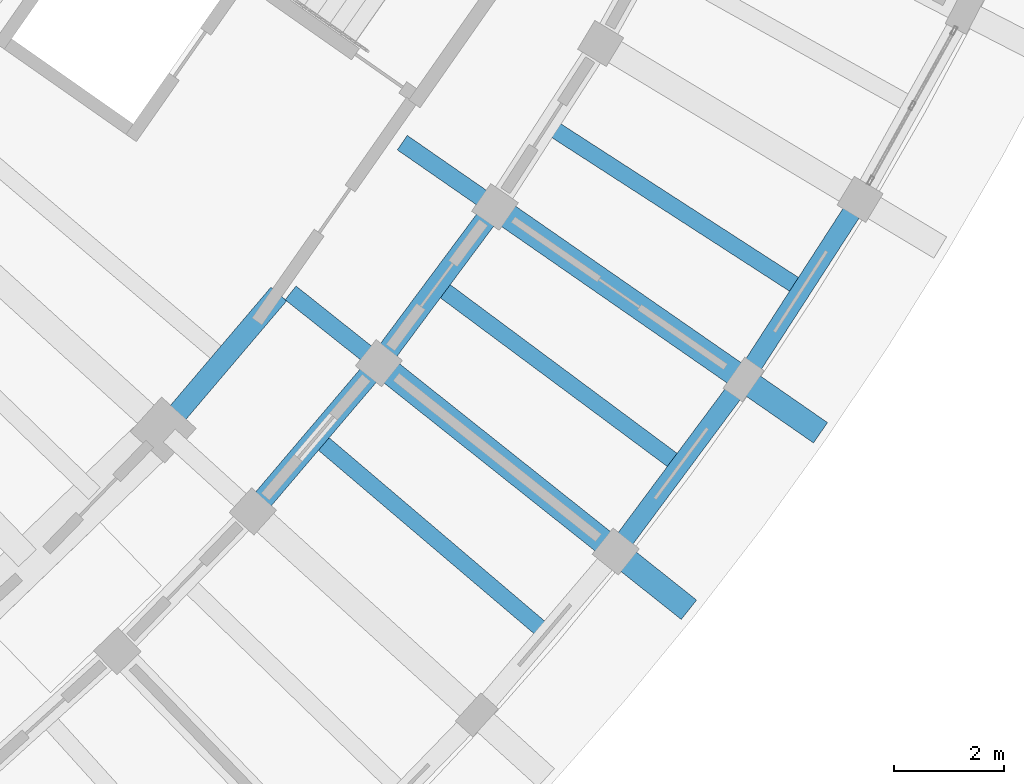
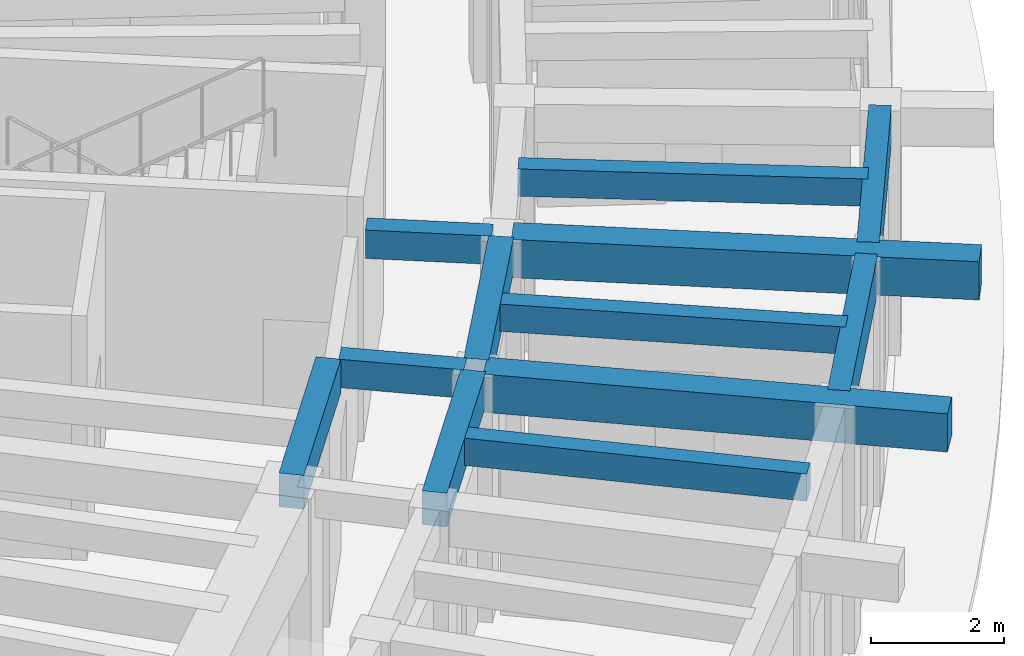
# One storey, part 58 of 132: 12 beams.
"""IFC4 building model written with IfcOpenShell, lengths in metres."""

from ifc_helpers import new_model, si_unit, direction, frame, origin, origin_2d, place, context, subcontext, project, spatial, rectangle, extrude, material, material_profile, profile_set, type_object, element, save


model = new_model("IFC4")

# Units and contexts
model_context = context("Model", 3, precision=1e-05, world=origin(), true_north=direction((0.0, 1.0)))
body_context = subcontext(model_context, "Body", "Model", "MODEL_VIEW")
ifc_project = project(units=[si_unit("LENGTHUNIT", "METRE"), si_unit("AREAUNIT", "SQUARE_METRE"), si_unit("VOLUMEUNIT", "CUBIC_METRE"), si_unit("PLANEANGLEUNIT", "RADIAN"), si_unit("MASSUNIT", "GRAM", prefix="KILO")], contexts=[model_context])

# Site, building, storey
site_placement = place(None, origin())
site = spatial("IfcSite", under=ifc_project, at=site_placement, CompositionType="ELEMENT")
building_placement = place(site_placement, origin())
building = spatial("IfcBuilding", under=site, at=building_placement, Name="Tanwirah Colonnade Gardens", CompositionType="ELEMENT")
storey_placement = place(building_placement, origin())
storey = spatial("IfcBuildingStorey", under=building, at=storey_placement, Name="L00", CompositionType="ELEMENT", Elevation=0.0)

# Beams
ifc_material_1 = material(Name="Precast concrete C40/50", Category="concrete")
ifc_material_profile_1 = material_profile(ifc_material_1, rectangle(XDim=0.320068359375, YDim=0.52001953125, at=origin_2d()), Name="PC-BM 320x520")
ifc_profile_set_1 = profile_set([ifc_material_profile_1], Name="Precast concrete C40/50")
beam_type_1 = type_object("IfcBeamType", Name="BM-PC320", PredefinedType="BEAM", material=ifc_profile_set_1)
beam_1_placement = place(storey_placement, frame((161.695556640625, 32.129150390625, 4.22509765625), z_axis=(0.782670764896, -0.622435919415, 0.0), x_axis=(0.622435919415, 0.782670764896, 0.0)))
element("IfcBeam", 1, at=beam_1_placement, inside=storey, type_object=beam_type_1, Name="Block D L00 Corridor Tie Beam 10", PredefinedType="BEAM", context=body_context, shape_type="SweptSolid", body=[
    extrude(rectangle(XDim=0.320068359375, YDim=0.52001953125, at=origin_2d()), origin(), (0.0, 0.0, 1.0), 1.89990234375),
])
beam_2_placement = place(storey_placement, frame((163.7255859375, 34.860107421875, 4.22509765625), z_axis=(0.821669163201, -0.569964723684, 0.0), x_axis=(0.569964723684, 0.821669163201, 0.0)))
element("IfcBeam", 2, at=beam_2_placement, inside=storey, type_object=beam_type_1, Name="Block D L00 Corridor Tie Beam 11", PredefinedType="BEAM", context=body_context, shape_type="SweptSolid", body=[
    extrude(rectangle(XDim=0.320068359375, YDim=0.52001953125, at=origin_2d()), origin(), (0.0, 0.0, 1.0), 1.900146484375),
])
ifc_material_profile_2 = material_profile(ifc_material_1, rectangle(XDim=0.3798828125, YDim=0.6201171875, at=origin_2d()), Name="PC-BM 380x620")
ifc_profile_set_2 = profile_set([ifc_material_profile_2], Name="Precast concrete C40/50")
beam_type_2 = type_object("IfcBeamType", Name="BM-PC380", PredefinedType="BEAM", material=ifc_profile_set_2)
beam_3_placement = place(storey_placement, frame((159.4775390625, 29.751953125, 4.175048828125), z_axis=(0.647730901566, 0.761869200819, 0.0), x_axis=(-0.761869200819, 0.647730901566, 0.0)))
element("IfcBeam", 3, at=beam_3_placement, inside=storey, type_object=beam_type_2, Name="Block D L00 Circumferential Beam 9-R1", PredefinedType="BEAM", context=body_context, shape_type="SweptSolid", body=[
    extrude(rectangle(XDim=0.3798828125, YDim=0.6201171875, at=origin_2d()), origin(), (0.0, 0.0, 1.0), 3.093017578125),
])
beam_4_placement = place(storey_placement, frame((161.10595703125, 28.27294921875, 4.175048828125), z_axis=(0.6478235549, 0.761790418499, 0.0), x_axis=(-0.761790418499, 0.6478235549, 0.0)))
element("IfcBeam", 4, at=beam_4_placement, inside=storey, type_object=beam_type_2, Name="Block D L00 Circumferential Beam 9-R2", PredefinedType="BEAM", context=body_context, shape_type="SweptSolid", body=[
    extrude(rectangle(XDim=0.3798828125, YDim=0.6201171875, at=origin_2d()), origin(), (0.0, 0.0, 1.0), 3.23681640625),
])
beam_5_placement = place(storey_placement, frame((163.389404296875, 30.973388671875, 4.175048828125), z_axis=(0.596579473879, 0.802554005252, 0.0), x_axis=(-0.802554005252, 0.596579473879, 0.0)))
element("IfcBeam", 5, at=beam_5_placement, inside=storey, type_object=beam_type_2, Name="Block D L00 Circumferential Beam 10-R2", PredefinedType="BEAM", context=body_context, shape_type="SweptSolid", body=[
    extrude(rectangle(XDim=0.3798828125, YDim=0.6201171875, at=origin_2d()), origin(), (0.0, 0.0, 1.0), 3.237060546875),
])
ifc_material_2 = material(Name="Precast concrete C45/55", Category="concrete")
ifc_material_profile_3 = material_profile(ifc_material_2, rectangle(XDim=0.449951171875, YDim=0.699951171875, at=origin_2d()), Name="PC-BM 450x700")
ifc_profile_set_3 = profile_set([ifc_material_profile_3], Name="Precast concrete C45/55")
beam_type_3 = type_object("IfcBeamType", Name="BM-PC450", PredefinedType="BEAM", material=ifc_profile_set_3)
beam_6_placement = place(storey_placement, frame((163.41748046875, 30.759765625, 4.135009765625), z_axis=(0.782609106384, -0.622513442911, 0.0), x_axis=(0.622513442911, 0.782609106384, 0.0)))
element("IfcBeam", 6, at=beam_6_placement, inside=storey, type_object=beam_type_3, Name="Block D L00 Outer Radial Precast Girder 10", PredefinedType="BEAM", context=body_context, shape_type="SweptSolid", body=[
    extrude(rectangle(XDim=0.449951171875, YDim=0.699951171875, at=origin_2d()), origin(), (0.0, 0.0, 1.0), 7.0498046875),
])
beam_7_placement = place(storey_placement, frame((165.533203125, 33.606201171875, 4.135009765625), z_axis=(0.821647028495, -0.569996632066, 0.0), x_axis=(0.569996632066, 0.821647028495, 0.0)))
element("IfcBeam", 7, at=beam_7_placement, inside=storey, type_object=beam_type_3, Name="Block D L00 Outer Radial Precast Girder 11", PredefinedType="BEAM", context=body_context, shape_type="SweptSolid", body=[
    extrude(rectangle(XDim=0.449951171875, YDim=0.699951171875, at=origin_2d()), origin(), (0.0, 0.0, 1.0), 7.050048828125),
])
ifc_material_profile_4 = material_profile(ifc_material_1, rectangle(XDim=0.300048828125, YDim=0.5, at=origin_2d()), Name="PC-JST 300x500")
ifc_profile_set_4 = profile_set([ifc_material_profile_4], Name="Precast concrete C40/50")
beam_type_4 = type_object("IfcBeamType", Name="JST-PC300", PredefinedType="JOIST", material=ifc_profile_set_4)
for number, where, z_axis, x_axis, name in (
    (8, (162.267822265625, 29.409423828125, 4.235107421875), (0.761803021124, -0.647808734895, 0.0), (0.647808734895, 0.761803021124, 0.0), "Block D L00 Precast Floor Joist 9"),
    (9, (164.474609375, 32.18359375, 4.235107421875), (0.802560347737, -0.596570941499, 0.0), (0.596570941499, 0.802560347737, 0.0), "Block D L00 Precast Floor Joist 10"),
    (10, (166.4951171875, 35.09619140625, 4.235107421875), (0.839842770955, -0.542829733963, 0.0), (0.542829733963, 0.839842770955, 0.0), "Block D L00 Precast Floor Joist 11"),
):
    element("IfcBeam", number, at=place(storey_placement, frame(where, z_axis=z_axis, x_axis=x_axis)), inside=storey, type_object=beam_type_4, Name=name, PredefinedType="JOIST", context=body_context, shape_type="SweptSolid", body=[
        extrude(rectangle(XDim=0.300048828125, YDim=0.5, at=origin_2d()), origin(), (0.0, 0.0, 1.0), 5.260009765625),
    ])
ifc_material_profile_5 = material_profile(ifc_material_2, rectangle(XDim=0.340087890625, YDim=0.699951171875, at=origin_2d()), Name="PC-SP 340x700")
ifc_profile_set_5 = profile_set([ifc_material_profile_5], Name="Precast concrete C45/55")
beam_type_5 = type_object("IfcBeamType", Name="SP-PC340", PredefinedType="SPANDREL", material=ifc_profile_set_5)
for number, where, z_axis, x_axis, name in (
    (11, (167.69384765625, 27.549560546875, 4.135009765625), (0.596562665898, 0.802566499212, 0.0), (-0.802566499212, 0.596562665898, 0.0), "Block D L00 Circumferential Beam 10-R3"),
    (12, (170.010498046875, 30.6826171875, 4.135009765625), (0.542786838894, 0.839870494495, 0.0), (-0.839870494495, 0.542786838894, 0.0), "Block D L00 Circumferential Beam 11-R3"),
):
    element("IfcBeam", number, at=place(storey_placement, frame(where, z_axis=z_axis, x_axis=x_axis)), inside=storey, type_object=beam_type_5, Name=name, PredefinedType="SPANDREL", context=body_context, shape_type="SweptSolid", body=[
        extrude(rectangle(XDim=0.340087890625, YDim=0.699951171875, at=origin_2d()), origin(), (0.0, 0.0, 1.0), 3.596923828125),
    ])

save(model, "model.ifc")
